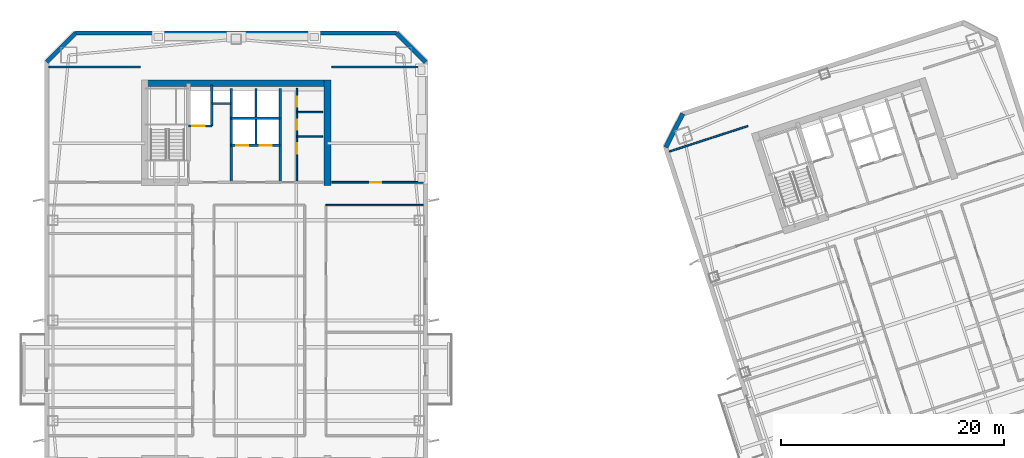
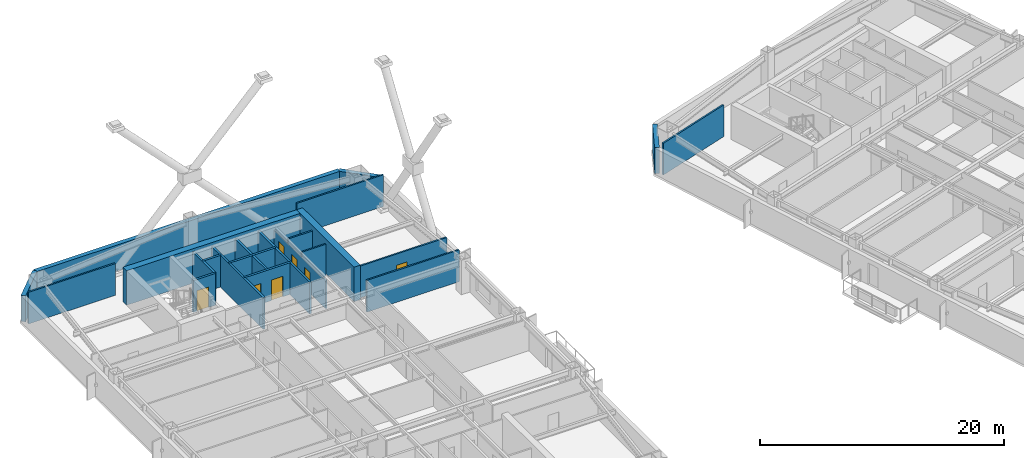
# One storey, part 8 of 18: 22 walls, 7 doors, 7 openings.
"""IFC4 building model written with IfcOpenShell, lengths in metres."""

from ifc_helpers import new_model, si_unit, direction, frame, frame_2d, origin, place, context, subcontext, project, spatial, rectangle, extrude, material, layer, layer_set, type_object, element, fill, save


model = new_model("IFC4")

# Units and contexts
model_context = context("Model", 3, precision=1e-05, world=origin(), true_north=direction((0.0, 1.0)))
body_context = subcontext(model_context, "Body", "Model", "MODEL_VIEW")
ifc_project = project(units=[si_unit("LENGTHUNIT", "METRE"), si_unit("AREAUNIT", "SQUARE_METRE"), si_unit("VOLUMEUNIT", "CUBIC_METRE"), si_unit("PLANEANGLEUNIT", "RADIAN"), si_unit("MASSUNIT", "GRAM", prefix="KILO")], contexts=[model_context])

# Site, building, storey
site_placement = place(None, origin())
site = spatial("IfcSite", under=ifc_project, at=site_placement, CompositionType="ELEMENT")
building_placement = place(site_placement, origin())
building = spatial("IfcBuilding", under=site, at=building_placement, Name="Qiaolan Cultural Towers", CompositionType="ELEMENT")
storey_placement = place(building_placement, frame((0.0, 0.0, 173.64990234375)))
storey = spatial("IfcBuildingStorey", under=building, at=storey_placement, Name="L46", CompositionType="ELEMENT", Elevation=173.64990234375)

# Walls
ifc_material_1 = material(Name="Concrete C55", Category="concrete")
ifc_layer_1 = layer(ifc_material_1, 0.60009765625)
ifc_layer_set_1 = layer_set([ifc_layer_1], Name="Concrete C55")
wall_type_1 = type_object("IfcWallType", Name="WL-CORE-600", PredefinedType="SHEAR", material=ifc_layer_set_1)
wall_1_placement = place(storey_placement, frame((21.5, 55.280029296875, 0.0), z_axis=(0.0, 0.0, 1.0), x_axis=(1.0, 0.0, 0.0)))
element("IfcWall", 1, at=wall_1_placement, inside=storey, type_object=wall_type_1, Name="L46 T1-CN Outer Core Shear Wall", PredefinedType="SHEAR", context=body_context, shape_type="SweptSolid", body=[
    extrude(rectangle(XDim=17.0, YDim=0.60009765625, at=frame_2d((8.5, 0.0))), origin(), (0.0, 0.0, 1.0), 3.4501953125),
])
wall_2_placement = place(storey_placement, frame((38.199951171875, 46.10009765625, 0.0), z_axis=(0.0, 0.0, 1.0), x_axis=(0.0, 1.0, 0.0)))
element("IfcWall", 2, at=wall_2_placement, inside=storey, type_object=wall_type_1, Name="L46 T1-CN East Core Shear Wall", PredefinedType="SHEAR", context=body_context, shape_type="SweptSolid", body=[
    extrude(rectangle(XDim=9.47998046875, YDim=0.60009765625, at=frame_2d((4.739990234375, 0.0))), origin(), (0.0, 0.0, 1.0), 3.4501953125),
])
ifc_material_2 = material(Name="Precast Concrete C50 Honed Stone Pier", Category="masonry")
ifc_layer_2 = layer(ifc_material_2, 0.39990234375)
ifc_layer_set_2 = layer_set([ifc_layer_2], Name="Precast Concrete C50 Honed Stone Pier")
wall_type_2 = type_object("IfcWallType", Name="WL-EXT-PIER-400", PredefinedType="SOLIDWALL", material=ifc_layer_set_2)
wall_3_placement = place(storey_placement, frame((13.0, 57.199951171875, 0.0), z_axis=(0.0, 0.0, 1.0), x_axis=(0.707106781187, 0.707106781187, 0.0)))
element("IfcWall", 3, at=wall_3_placement, inside=storey, type_object=wall_type_2, Name="L46 West Tower Precast Pier Facade Wall F2", PredefinedType="SOLIDWALL", context=body_context, shape_type="SweptSolid", body=[
    extrude(rectangle(XDim=3.677001953125, YDim=0.39990234375, at=frame_2d((1.83837890625, 0.0))), origin(), (0.0, 0.0, 1.0), 2.610107421875),
])
wall_4_placement = place(storey_placement, frame((15.60009765625, 59.800048828125, 0.0), z_axis=(0.0, 0.0, 1.0), x_axis=(1.0, 0.0, 0.0)))
element("IfcWall", 4, at=wall_4_placement, inside=storey, type_object=wall_type_2, Name="L46 West Tower Precast Pier Facade Wall F3", PredefinedType="SOLIDWALL", context=body_context, shape_type="SweptSolid", body=[
    extrude(rectangle(XDim=28.7998046875, YDim=0.39990234375, at=frame_2d((14.39990234375, 0.0))), origin(), (0.0, 0.0, 1.0), 2.610107421875),
])
wall_5_placement = place(storey_placement, frame((44.39990234375, 59.800048828125, 0.0), z_axis=(0.0, 0.0, 1.0), x_axis=(0.707106781187, -0.707106781187, 0.0)))
element("IfcWall", 5, at=wall_5_placement, inside=storey, type_object=wall_type_2, Name="L46 West Tower Precast Pier Facade Wall F4", PredefinedType="SOLIDWALL", context=body_context, shape_type="SweptSolid", body=[
    extrude(rectangle(XDim=3.677001953125, YDim=0.39990234375, at=frame_2d((1.83837890625, 0.0))), origin(), (0.0, 0.0, 1.0), 2.610107421875),
])
wall_6_placement = place(storey_placement, frame((68.550537109375, 49.531982421875, 0.0), z_axis=(0.0, 0.0, 1.0), x_axis=(0.454019523198, 0.890991735402, 0.0)))
element("IfcWall", 6, at=wall_6_placement, inside=storey, type_object=wall_type_2, Name="L46 East Tower Precast Pier Facade Wall F2", PredefinedType="SOLIDWALL", context=body_context, shape_type="SweptSolid", body=[
    extrude(rectangle(XDim=3.39404296875, YDim=0.39990234375, at=frame_2d((1.697021484375, 0.0))), origin(), (0.0, 0.0, 1.0), 2.610107421875),
])
ifc_material_3 = material(Name="Concrete C35 Fire Wall", Category="concrete")
ifc_layer_3 = layer(ifc_material_3, 0.199951171875)
ifc_layer_set_3 = layer_set([ifc_layer_3], Name="Concrete C35 Fire Wall")
wall_type_3 = type_object("IfcWallType", Name="WL-FIRE-200", PredefinedType="PARTITIONING", material=ifc_layer_set_3)
wall_7_placement = place(storey_placement, frame((29.550048828125, 46.39990234375, 0.0), z_axis=(0.0, 0.0, 1.0), x_axis=(0.0, 1.0, 0.0)))
element("IfcWall", 7, at=wall_7_placement, inside=storey, type_object=wall_type_3, Name="L46 T1-CN Firefighting Zone Wall", PredefinedType="PARTITIONING", context=body_context, shape_type="SweptSolid", body=[
    extrude(rectangle(XDim=8.43017578125, YDim=0.199951171875, at=frame_2d((4.215087890625, 0.0))), origin(), (0.0, 0.0, 1.0), 3.175048828125),
])

# Wall, opening, door
wall_8_placement = place(storey_placement, frame((25.719970703125, 51.449951171875, 0.0), z_axis=(0.0, 0.0, 1.0), x_axis=(1.0, 0.0, 0.0)))
wall_8 = element("IfcWall", 8, at=wall_8_placement, inside=storey, type_object=wall_type_3, Name="L46 T1-CN Firefighting Shaft Front Wall", PredefinedType="PARTITIONING", context=body_context, shape_type="SweptSolid", body=[
    extrude(rectangle(XDim=2.10009765625, YDim=0.199951171875, at=frame_2d((1.050048828125, 0.0))), origin(), (0.0, 0.0, 1.0), 3.175048828125),
])
opening_1_placement = place(wall_8_placement, frame((0.35009765625, 0.0, 0.0)))
opening_1 = element("IfcOpeningElement", 9, at=opening_1_placement, cuts=wall_8, Name="Opening LD-01", PredefinedType="OPENING", context=body_context, shape_type="SweptSolid", body=[
    extrude(rectangle(XDim=1.10009765625, YDim=2.050048828125, at=frame_2d((0.550048828125, 1.02490234375))), frame((0.0, 0.10986328125, 0.0), z_axis=(0.0, -1.0, 0.0), x_axis=(1.0, 0.0, 0.0)), (0.0, 0.0, 1.0), 0.219970703125),
])
ifc_material_4 = material(Name="Brushed Stainless Steel S30408 Centre-Parting Lift Landing Door", Category="steel")
door_type_1 = type_object("IfcDoorType", Name="DR-LIFT-1100", OperationType="NOTDEFINED", PredefinedType="DOOR", material=ifc_material_4)
door_1_placement = place(opening_1_placement, origin())
door_1 = element("IfcDoor", 10, at=door_1_placement, inside=storey, type_object=door_type_1, Name="L46 FFL-W2 Firefighting Lift Landing Door", OperationType="DOUBLE_DOOR_SLIDING", OverallHeight=2.050048828125, OverallWidth=1.10009765625, PredefinedType="DOOR", context=body_context, shape_type="SweptSolid", body=[
    extrude(rectangle(XDim=1.10009765625, YDim=2.050048828125, at=frame_2d((0.550048828125, 1.02490234375))), frame((0.0, 0.02490234375, 0.0), z_axis=(0.0, -1.0, 0.0), x_axis=(1.0, 0.0, 0.0)), (0.0, 0.0, 1.0), 0.050048828125),
])
fill(opening_1, door_1)

# Walls
wall_9_placement = place(storey_placement, frame((27.820068359375, 51.449951171875, 0.0), z_axis=(0.0, 0.0, 1.0), x_axis=(0.0, 1.0, 0.0)))
element("IfcWall", 11, at=wall_9_placement, inside=storey, type_object=wall_type_3, Name="L46 T1-CN Firefighting Hoistway East Wall", PredefinedType="PARTITIONING", context=body_context, shape_type="SweptSolid", body=[
    extrude(rectangle(XDim=3.699951171875, YDim=0.199951171875, at=frame_2d((1.85009765625, 0.0))), origin(), (0.0, 0.0, 1.0), 3.175048828125),
])
wall_10_placement = place(storey_placement, frame((27.820068359375, 53.47998046875, 0.0), z_axis=(0.0, 0.0, 1.0), x_axis=(1.0, 0.0, 0.0)))
element("IfcWall", 12, at=wall_10_placement, inside=storey, type_object=wall_type_3, Name="L46 T1-CN Pressurization Shaft Front Wall", PredefinedType="PARTITIONING", context=body_context, shape_type="SweptSolid", body=[
    extrude(rectangle(XDim=1.72998046875, YDim=0.199951171875, at=frame_2d((0.864990234375, 0.0))), origin(), (0.0, 0.0, 1.0), 3.175048828125),
])
wall_11_placement = place(storey_placement, frame((33.949951171875, 46.39990234375, 0.0), z_axis=(0.0, 0.0, 1.0), x_axis=(0.0, 1.0, 0.0)))
element("IfcWall", 13, at=wall_11_placement, inside=storey, type_object=wall_type_3, Name="L46 T1-CN Lift Core East Wall", PredefinedType="PARTITIONING", context=body_context, shape_type="SweptSolid", body=[
    extrude(rectangle(XDim=8.43017578125, YDim=0.199951171875, at=frame_2d((4.215087890625, 0.0))), origin(), (0.0, 0.0, 1.0), 3.175048828125),
])

# Wall, openings, doors
wall_12_placement = place(storey_placement, frame((29.550048828125, 49.719970703125, 0.0), z_axis=(0.0, 0.0, 1.0), x_axis=(1.0, 0.0, 0.0)))
wall_12 = element("IfcWall", 14, at=wall_12_placement, inside=storey, type_object=wall_type_3, Name="L46 T1-CN Passenger Lift Shaft Front Wall", PredefinedType="PARTITIONING", context=body_context, shape_type="SweptSolid", body=[
    extrude(rectangle(XDim=4.39990234375, YDim=0.199951171875, at=frame_2d((2.199951171875, 0.0))), origin(), (0.0, 0.0, 1.0), 3.175048828125),
])
opening_2_placement = place(wall_12_placement, frame((0.449951171875, 0.0, 0.0)))
opening_2 = element("IfcOpeningElement", 15, at=opening_2_placement, cuts=wall_12, Name="Opening LD-01", PredefinedType="OPENING", context=body_context, shape_type="SweptSolid", body=[
    extrude(rectangle(XDim=1.10009765625, YDim=2.050048828125, at=frame_2d((0.550048828125, 1.02490234375))), frame((0.0, 0.10986328125, 0.0), z_axis=(0.0, -1.0, 0.0), x_axis=(1.0, 0.0, 0.0)), (0.0, 0.0, 1.0), 0.219970703125),
])
opening_3_placement = place(wall_12_placement, frame((2.550048828125, 0.0, 0.0)))
opening_3 = element("IfcOpeningElement", 16, at=opening_3_placement, cuts=wall_12, Name="Opening LD-01", PredefinedType="OPENING", context=body_context, shape_type="SweptSolid", body=[
    extrude(rectangle(XDim=1.10009765625, YDim=2.050048828125, at=frame_2d((0.550048828125, 1.02490234375))), frame((0.0, 0.10986328125, 0.0), z_axis=(0.0, -1.0, 0.0), x_axis=(1.0, 0.0, 0.0)), (0.0, 0.0, 1.0), 0.219970703125),
])
door_2_placement = place(opening_2_placement, origin())
door_2 = element("IfcDoor", 17, at=door_2_placement, inside=storey, type_object=door_type_1, Name="L46 Passenger Lift 1 Landing Door", OperationType="DOUBLE_DOOR_SLIDING", OverallHeight=2.050048828125, OverallWidth=1.10009765625, PredefinedType="DOOR", context=body_context, shape_type="SweptSolid", body=[
    extrude(rectangle(XDim=1.10009765625, YDim=2.050048828125, at=frame_2d((0.550048828125, 1.02490234375))), frame((0.0, 0.02490234375, 0.0), z_axis=(0.0, -1.0, 0.0), x_axis=(1.0, 0.0, 0.0)), (0.0, 0.0, 1.0), 0.050048828125),
])
fill(opening_2, door_2)
door_3_placement = place(opening_3_placement, origin())
door_3 = element("IfcDoor", 18, at=door_3_placement, inside=storey, type_object=door_type_1, Name="L46 Passenger Lift 2 Landing Door", OperationType="DOUBLE_DOOR_SLIDING", OverallHeight=2.050048828125, OverallWidth=1.10009765625, PredefinedType="DOOR", context=body_context, shape_type="SweptSolid", body=[
    extrude(rectangle(XDim=1.10009765625, YDim=2.050048828125, at=frame_2d((0.550048828125, 1.02490234375))), frame((0.0, 0.02490234375, 0.0), z_axis=(0.0, -1.0, 0.0), x_axis=(1.0, 0.0, 0.0)), (0.0, 0.0, 1.0), 0.050048828125),
])
fill(opening_3, door_3)

# Walls
wall_13_placement = place(storey_placement, frame((31.780029296875, 49.719970703125, 0.0), z_axis=(0.0, 0.0, 1.0), x_axis=(0.0, 1.0, 0.0)))
element("IfcWall", 19, at=wall_13_placement, inside=storey, type_object=wall_type_3, Name="L46 T1-CN Lift Shaft Divider Wall", PredefinedType="PARTITIONING", context=body_context, shape_type="SweptSolid", body=[
    extrude(rectangle(XDim=5.110107421875, YDim=0.199951171875, at=frame_2d((2.55517578125, 0.0))), origin(), (0.0, 0.0, 1.0), 3.175048828125),
])
wall_14_placement = place(storey_placement, frame((29.550048828125, 52.14990234375, 0.0), z_axis=(0.0, 0.0, 1.0), x_axis=(1.0, 0.0, 0.0)))
element("IfcWall", 20, at=wall_14_placement, inside=storey, type_object=wall_type_3, Name="L46 T1-CN Passenger Lift Shaft Back Wall", PredefinedType="PARTITIONING", context=body_context, shape_type="SweptSolid", body=[
    extrude(rectangle(XDim=4.39990234375, YDim=0.199951171875, at=frame_2d((2.199951171875, 0.0))), origin(), (0.0, 0.0, 1.0), 3.175048828125),
])

# Wall, openings, doors
ifc_material_5 = material(Name="Autoclaved Aerated Concrete Block B06", Category="concrete")
ifc_layer_4 = layer(ifc_material_5, 0.14990234375)
ifc_layer_set_4 = layer_set([ifc_layer_4], Name="Autoclaved Aerated Concrete Block B06")
wall_type_4 = type_object("IfcWallType", Name="WL-PART-150", PredefinedType="PARTITIONING", material=ifc_layer_set_4)
wall_15_placement = place(storey_placement, frame((35.449951171875, 46.39990234375, 0.0), z_axis=(0.0, 0.0, 1.0), x_axis=(0.0, 1.0, 0.0)))
wall_15 = element("IfcWall", 21, at=wall_15_placement, inside=storey, type_object=wall_type_4, Name="L46 T1-CN Sanitary Vestibule Wall", PredefinedType="PARTITIONING", context=body_context, shape_type="SweptSolid", body=[
    extrude(rectangle(XDim=8.43017578125, YDim=0.14990234375, at=frame_2d((4.215087890625, 0.0))), origin(), (0.0, 0.0, 1.0), 2.76513671875),
])
opening_4_placement = place(wall_15_placement, frame((2.550048828125, 0.0, 0.0)))
opening_4 = element("IfcOpeningElement", 22, at=opening_4_placement, cuts=wall_15, Name="Opening ID-05", PredefinedType="OPENING", context=body_context, shape_type="SweptSolid", body=[
    extrude(rectangle(XDim=0.949951171875, YDim=2.050048828125, at=frame_2d((0.47509765625, 1.02490234375))), frame((0.0, 0.0849609375, 0.0), z_axis=(0.0, -1.0, 0.0), x_axis=(1.0, 0.0, 0.0)), (0.0, 0.0, 1.0), 0.169921875),
])
opening_5_placement = place(wall_15_placement, frame((4.699951171875, 0.0, 0.0)))
opening_5 = element("IfcOpeningElement", 23, at=opening_5_placement, cuts=wall_15, Name="Opening ID-06", PredefinedType="OPENING", context=body_context, shape_type="SweptSolid", body=[
    extrude(rectangle(XDim=0.89990234375, YDim=2.050048828125, at=frame_2d((0.449951171875, 1.02490234375))), frame((0.0, 0.0849609375, 0.0), z_axis=(0.0, -1.0, 0.0), x_axis=(1.0, 0.0, 0.0)), (0.0, 0.0, 1.0), 0.169921875),
])
opening_6_placement = place(wall_15_placement, frame((6.800048828125, 0.0, 0.0)))
opening_6 = element("IfcOpeningElement", 24, at=opening_6_placement, cuts=wall_15, Name="Opening ID-06", PredefinedType="OPENING", context=body_context, shape_type="SweptSolid", body=[
    extrude(rectangle(XDim=0.89990234375, YDim=2.050048828125, at=frame_2d((0.449951171875, 1.02490234375))), frame((0.0, 0.0849609375, 0.0), z_axis=(0.0, -1.0, 0.0), x_axis=(1.0, 0.0, 0.0)), (0.0, 0.0, 1.0), 0.169921875),
])
ifc_material_6 = material(Name="Fire-Rated Laminate Core Service Door", Category="timber")
door_type_2 = type_object("IfcDoorType", Name="DR-INT-900", OperationType="NOTDEFINED", PredefinedType="DOOR", material=ifc_material_6)
door_4_placement = place(opening_5_placement, origin())
door_4 = element("IfcDoor", 25, at=door_4_placement, inside=storey, type_object=door_type_2, Name="L46 Men Washroom Door", OperationType="SINGLE_SWING_LEFT", OverallHeight=2.050048828125, OverallWidth=0.89990234375, PredefinedType="DOOR", context=body_context, shape_type="SweptSolid", body=[
    extrude(rectangle(XDim=0.89990234375, YDim=2.050048828125, at=frame_2d((0.449951171875, 1.02490234375))), frame((0.0, 0.02490234375, 0.0), z_axis=(0.0, -1.0, 0.0), x_axis=(1.0, 0.0, 0.0)), (0.0, 0.0, 1.0), 0.050048828125),
])
fill(opening_5, door_4)
door_5_placement = place(opening_6_placement, origin())
door_5 = element("IfcDoor", 26, at=door_5_placement, inside=storey, type_object=door_type_2, Name="L46 Women Washroom Door", OperationType="SINGLE_SWING_RIGHT", OverallHeight=2.050048828125, OverallWidth=0.89990234375, PredefinedType="DOOR", context=body_context, shape_type="SweptSolid", body=[
    extrude(rectangle(XDim=0.89990234375, YDim=2.050048828125, at=frame_2d((0.449951171875, 1.02490234375))), frame((0.0, 0.02490234375, 0.0), z_axis=(0.0, -1.0, 0.0), x_axis=(1.0, 0.0, 0.0)), (0.0, 0.0, 1.0), 0.050048828125),
])
fill(opening_6, door_5)
ifc_material_7 = material(Name="Fire-Rated Laminate Accessible Core Door", Category="timber")
door_type_3 = type_object("IfcDoorType", Name="DR-INT-950", OperationType="NOTDEFINED", PredefinedType="DOOR", material=ifc_material_7)
door_6_placement = place(opening_4_placement, origin())
door_6 = element("IfcDoor", 27, at=door_6_placement, inside=storey, type_object=door_type_3, Name="L46 Accessible Family Washroom Door", OperationType="SINGLE_SWING_LEFT", OverallHeight=2.050048828125, OverallWidth=0.949951171875, PredefinedType="DOOR", context=body_context, shape_type="SweptSolid", body=[
    extrude(rectangle(XDim=0.949951171875, YDim=2.050048828125, at=frame_2d((0.47509765625, 1.02490234375))), frame((0.0, 0.02490234375, 0.0), z_axis=(0.0, -1.0, 0.0), x_axis=(1.0, 0.0, 0.0)), (0.0, 0.0, 1.0), 0.050048828125),
])
fill(opening_4, door_6)

# Walls
for number, where, z_axis, x_axis, name in (
    (28, (35.449951171875, 50.5, 0.0), (0.0, 0.0, 1.0), (1.0, 0.0, 0.0), "L46 T1-CN Restroom Split Wall 1"),
    (29, (35.449951171875, 52.699951171875, 0.0), (0.0, 0.0, 1.0), (1.0, 0.0, 0.0), "L46 T1-CN Restroom Split Wall 2"),
):
    element("IfcWall", number, at=place(storey_placement, frame(where, z_axis=z_axis, x_axis=x_axis)), inside=storey, type_object=wall_type_4, Name=name, PredefinedType="PARTITIONING", context=body_context, shape_type="SweptSolid", body=[
        extrude(rectangle(XDim=2.300048828125, YDim=0.14990234375, at=frame_2d((1.14990234375, 0.0))), origin(), (0.0, 0.0, 1.0), 3.175048828125),
    ])
for number, where, z_axis, x_axis, name in (
    (30, (13.199951171875, 56.75, 0.0), (0.0, 0.0, 1.0), (1.0, 0.0, 0.0), "L46 T1 Flank Wall FLK-NW"),
    (31, (38.60009765625, 56.75, 0.0), (0.0, 0.0, 1.0), (1.0, 0.0, 0.0), "L46 T1 Flank Wall FLK-NE"),
):
    element("IfcWall", number, at=place(storey_placement, frame(where, z_axis=z_axis, x_axis=x_axis)), inside=storey, type_object=wall_type_4, Name=name, PredefinedType="PARTITIONING", context=body_context, shape_type="SweptSolid", body=[
        extrude(rectangle(XDim=8.199951171875, YDim=0.14990234375, at=frame_2d((4.10009765625, 0.0))), origin(), (0.0, 0.0, 1.0), 3.175048828125),
    ])

# Wall, opening, door
wall_16_placement = place(storey_placement, frame((38.60009765625, 46.39990234375, 0.0), z_axis=(0.0, 0.0, 1.0), x_axis=(1.0, 0.0, 0.0)))
wall_16 = element("IfcWall", 32, at=wall_16_placement, inside=storey, type_object=wall_type_4, Name="L46 T1 Flank Front FLK-NE", PredefinedType="PARTITIONING", context=body_context, shape_type="SweptSolid", body=[
    extrude(rectangle(XDim=8.199951171875, YDim=0.14990234375, at=frame_2d((4.10009765625, 0.0))), origin(), (0.0, 0.0, 1.0), 3.175048828125),
])
opening_7_placement = place(wall_16_placement, frame((3.444091796875, 0.0, 0.0)))
opening_7 = element("IfcOpeningElement", 33, at=opening_7_placement, cuts=wall_16, Name="Opening ID-04", PredefinedType="OPENING", context=body_context, shape_type="SweptSolid", body=[
    extrude(rectangle(XDim=1.0, YDim=2.050048828125, at=frame_2d((0.5, 1.02490234375))), frame((0.0, 0.0849609375, 0.0), z_axis=(0.0, -1.0, 0.0), x_axis=(1.0, 0.0, 0.0)), (0.0, 0.0, 1.0), 0.169921875),
])
ifc_material_8 = material(Name="Oak Veneer Acoustic Office Door", Category="timber")
door_type_4 = type_object("IfcDoorType", Name="DR-INT-1000", OperationType="NOTDEFINED", PredefinedType="DOOR", material=ifc_material_8)
door_7_placement = place(opening_7_placement, origin())
door_7 = element("IfcDoor", 34, at=door_7_placement, inside=storey, type_object=door_type_4, Name="L46 T1 Corner Studio Door", OperationType="SINGLE_SWING_LEFT", OverallHeight=2.050048828125, OverallWidth=1.0, PredefinedType="DOOR", context=body_context, shape_type="SweptSolid", body=[
    extrude(rectangle(XDim=1.0, YDim=2.050048828125, at=frame_2d((0.5, 1.02490234375))), frame((0.0, 0.02490234375, 0.0), z_axis=(0.0, -1.0, 0.0), x_axis=(1.0, 0.0, 0.0)), (0.0, 0.0, 1.0), 0.050048828125),
])
fill(opening_7, door_7)

# Walls
wall_17_placement = place(storey_placement, frame((38.050048828125, 44.35009765625, 0.0), z_axis=(0.0, 0.0, 1.0), x_axis=(1.0, 0.0, 0.0)))
element("IfcWall", 35, at=wall_17_placement, inside=storey, type_object=wall_type_4, Name="L46 T1 Interior Wall", PredefinedType="PARTITIONING", context=body_context, shape_type="SweptSolid", body=[
    extrude(rectangle(XDim=8.75, YDim=0.14990234375, at=frame_2d((4.375, 0.0))), origin(), (0.0, 0.0, 1.0), 3.175048828125),
])
wall_18_placement = place(storey_placement, frame((68.8798828125, 49.165771484375, 0.0), z_axis=(0.0, 0.0, 1.0), x_axis=(0.951060977215, 0.309003264738, 0.0)))
element("IfcWall", 36, at=wall_18_placement, inside=storey, type_object=wall_type_4, Name="L46 T2 Flank Wall FLK-NW", PredefinedType="PARTITIONING", context=body_context, shape_type="SweptSolid", body=[
    extrude(rectangle(XDim=7.39990234375, YDim=0.14990234375, at=frame_2d((3.699951171875, 0.0))), origin(), (0.0, 0.0, 1.0), 3.175048828125),
])

save(model, "model.ifc")
